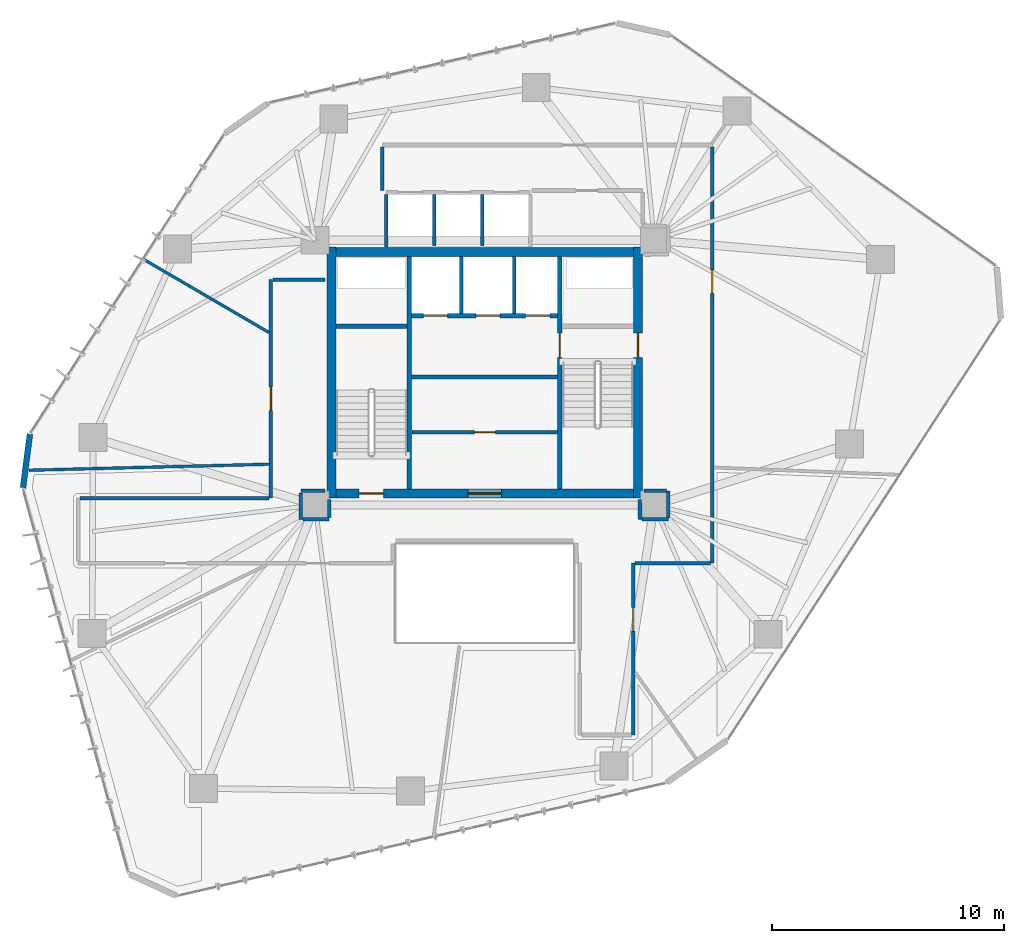
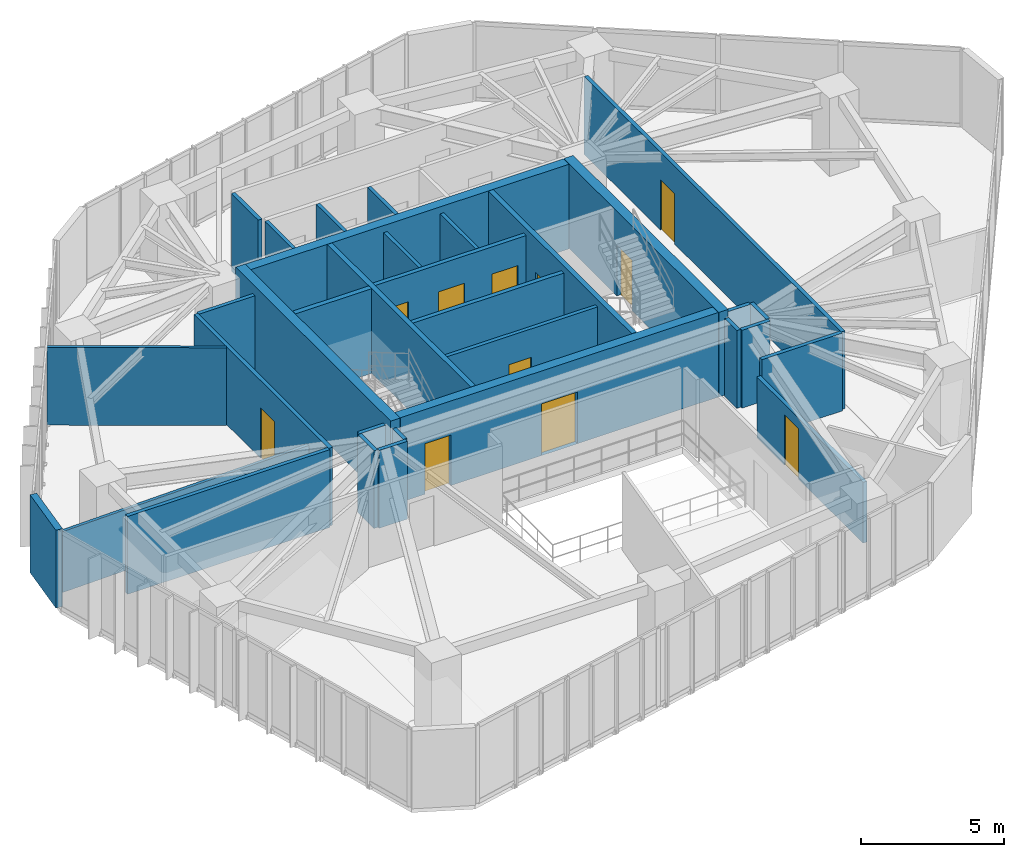
# One storey, part 17 of 21: 33 walls, 11 doors, 11 openings.
"""IFC4 building model written with IfcOpenShell, lengths in metres."""

from ifc_helpers import new_model, si_unit, direction, frame, frame_2d, origin, place, context, subcontext, project, spatial, rectangle, extrude, source, transform, mapped, material, layer, layer_set, type_object, type_shapes, element, fill, save


model = new_model("IFC4")

# Units and contexts
model_context = context("Model", 3, precision=1e-05, world=origin(), true_north=direction((0.0, 1.0)))
body_context = subcontext(model_context, "Body", "Model", "MODEL_VIEW")
ifc_project = project(units=[si_unit("LENGTHUNIT", "METRE"), si_unit("AREAUNIT", "SQUARE_METRE"), si_unit("VOLUMEUNIT", "CUBIC_METRE"), si_unit("PLANEANGLEUNIT", "RADIAN"), si_unit("MASSUNIT", "GRAM", prefix="KILO")], contexts=[model_context])

# Site, building, storey
site_placement = place(None, origin())
site = spatial("IfcSite", under=ifc_project, at=site_placement, CompositionType="ELEMENT")
building_placement = place(site_placement, origin())
building = spatial("IfcBuilding", under=site, at=building_placement, Name="Talar Marvaseh", CompositionType="ELEMENT")
storey_placement = place(building_placement, frame((0.0, 0.0, 129.0)))
storey = spatial("IfcBuildingStorey", under=building, at=storey_placement, Name="L33", CompositionType="ELEMENT", Elevation=129.0)

# Wall
ifc_material_1 = material(Name="Precast concrete C45/55", Category="concrete")
ifc_layer_1 = layer(ifc_material_1, 0.2548828125)
ifc_layer_set_1 = layer_set([ifc_layer_1], Name="Precast concrete C45/55")
wall_type_1 = type_object("IfcWallType", Name="Chamfered Hexagonal Corner Pier Wall Z2 255", PredefinedType="SOLIDWALL", material=ifc_layer_set_1)
wall_1_placement = place(storey_placement, frame((6.122802734375, 26.236572265625, 0.0), z_axis=(0.0, 0.0, 1.0), x_axis=(0.128282400491, 0.991737679895, 0.0)))
element("IfcWall", 1, at=wall_1_placement, inside=storey, type_object=wall_type_1, Name="L33 Chamfered Corner Limestone Pier 2", PredefinedType="SOLIDWALL", context=body_context, shape_type="SweptSolid", body=[
    extrude(rectangle(XDim=2.3408203125, YDim=0.2548828125, at=frame_2d((1.17041015625, 0.0))), origin(), (0.0, 0.0, 1.0), 3.31005859375),
])

# Wall, opening, door
ifc_material_2 = material(Name="Gypsum Board Partition Assembly")
ifc_layer_2 = layer(ifc_material_2, 0.155029296875)
ifc_layer_set_2 = layer_set([ifc_layer_2], Name="Gypsum Board Partition Assembly")
wall_type_2 = type_object("IfcWallType", Name="Corridor Fire-Rated Acoustic Partition 155", PredefinedType="PARTITIONING", material=ifc_layer_set_2)
wall_2_placement = place(storey_placement, frame((22.865966796875, 28.639892578125, 0.0), z_axis=(0.0, 0.0, 1.0), x_axis=(1.0, 0.0, 0.0)))
wall_2 = element("IfcWall", 2, at=wall_2_placement, inside=storey, type_object=wall_type_2, Name="L33 Core BOH Partition", PredefinedType="PARTITIONING", context=body_context, shape_type="SweptSolid", body=[
    extrude(rectangle(XDim=6.26806640625, YDim=0.155029296875, at=frame_2d((3.134033203125, 0.0))), origin(), (0.0, 0.0, 1.0), 3.31005859375),
])
opening_1_placement = place(wall_2_placement, frame((2.699951171875, 0.0, 0.0)))
opening_1 = element("IfcOpeningElement", 3, at=opening_1_placement, cuts=wall_2, Name="Opening DR-BOH090", PredefinedType="OPENING", context=body_context, shape_type="SweptSolid", body=[
    extrude(rectangle(XDim=0.89990234375, YDim=2.10009765625, at=frame_2d((0.449951171875, 1.050048828125))), frame((0.0, 0.08740234375, 0.0), z_axis=(0.0, -1.0, 0.0), x_axis=(1.0, 0.0, 0.0)), (0.0, 0.0, 1.0), 0.175048828125),
])
ifc_material_3 = material(Name="Fire-Rated Steel Door Leaf", Category="steel")
door_type_1 = type_object("IfcDoorType", Name="Core Back-of-House Service Door 900x2100", OperationType="NOTDEFINED", PredefinedType="DOOR", material=ifc_material_3)
shared_shape_1 = source(origin(), body_context, "Body", "SweptSolid", [
    extrude(rectangle(XDim=0.89990234375, YDim=2.10009765625, at=frame_2d((0.449951171875, 1.050048828125))), frame((0.0, 0.02490234375, 0.0), z_axis=(0.0, -1.0, 0.0), x_axis=(1.0, 0.0, 0.0)), (0.0, 0.0, 1.0), 0.050048828125),
])
type_shapes(door_type_1, [shared_shape_1])
door_1_placement = place(opening_1_placement, origin())
door_1 = element("IfcDoor", 4, at=door_1_placement, inside=storey, type_object=door_type_1, Name="L33 Store Core Central Archive Door", OperationType="SINGLE_SWING_LEFT", OverallHeight=2.10009765625, OverallWidth=0.89990234375, PredefinedType="DOOR", context=body_context, shape_type="MappedRepresentation", body=[
    mapped(shared_shape_1, transform((0.0, 0.0, 0.0), x_axis=(1.0, 0.0, 0.0), y_axis=(0.0, 1.0, 0.0), z_axis=(0.0, 0.0, 1.0), scale=1.0)),
])
fill(opening_1, door_1)

wall_3_placement = place(storey_placement, frame((16.800048828125, 25.800048828125, 0.0), z_axis=(0.0, 0.0, 1.0), x_axis=(0.0, 1.0, 0.0)))
wall_3 = element("IfcWall", 5, at=wall_3_placement, inside=storey, type_object=wall_type_2, Name="L33 Interior Partition Wall", PredefinedType="PARTITIONING", context=body_context, shape_type="SweptSolid", body=[
    extrude(rectangle(XDim=9.39990234375, YDim=0.155029296875, at=frame_2d((4.699951171875, 0.0))), origin(), (0.0, 0.0, 1.0), 3.31005859375),
])
opening_2_placement = place(wall_3_placement, frame((3.78125, 0.0, 0.0)))
opening_2 = element("IfcOpeningElement", 6, at=opening_2_placement, cuts=wall_3, Name="Opening DR-RM100", PredefinedType="OPENING", context=body_context, shape_type="SweptSolid", body=[
    extrude(rectangle(XDim=1.0, YDim=2.14990234375, at=frame_2d((0.5, 1.074951171875))), frame((0.0, 0.08740234375, 0.0), z_axis=(0.0, -1.0, 0.0), x_axis=(1.0, 0.0, 0.0)), (0.0, 0.0, 1.0), 0.175048828125),
])
ifc_material_4 = material(Name="Acoustic Engineered Oak Timber", Category="wood")
door_type_2 = type_object("IfcDoorType", Name="Corridor Fire-Rated Gallery Door 1000x2150", OperationType="NOTDEFINED", PredefinedType="DOOR", material=ifc_material_4)
shared_shape_2 = source(origin(), body_context, "Body", "SweptSolid", [
    extrude(rectangle(XDim=1.0, YDim=2.14990234375, at=frame_2d((0.5, 1.074951171875))), frame((0.0, 0.02490234375, 0.0), z_axis=(0.0, -1.0, 0.0), x_axis=(1.0, 0.0, 0.0)), (0.0, 0.0, 1.0), 0.050048828125),
])
type_shapes(door_type_2, [shared_shape_2])
door_2_placement = place(opening_2_placement, origin())
door_2 = element("IfcDoor", 7, at=door_2_placement, inside=storey, type_object=door_type_2, Name="L33 Archival Facsimile Boutique Door", OperationType="SINGLE_SWING_LEFT", OverallHeight=2.14990234375, OverallWidth=1.0, PredefinedType="DOOR", context=body_context, shape_type="MappedRepresentation", body=[
    mapped(shared_shape_2, transform((0.0, 0.0, 0.0), x_axis=(1.0, 0.0, 0.0), y_axis=(0.0, 1.0, 0.0), z_axis=(0.0, 0.0, 1.0), scale=1.0)),
])
fill(opening_2, door_2)

wall_4_placement = place(storey_placement, frame((35.800048828125, 40.91650390625, 0.0), z_axis=(0.0, 0.0, 1.0), x_axis=(0.0, -1.0, 0.0)))
wall_4 = element("IfcWall", 8, at=wall_4_placement, inside=storey, type_object=wall_type_2, Name="L33 Interior Partition Wall", PredefinedType="PARTITIONING", context=body_context, shape_type="SweptSolid", body=[
    extrude(rectangle(XDim=17.91650390625, YDim=0.155029296875, at=frame_2d((8.958251953125, 0.0))), origin(), (0.0, 0.0, 1.0), 3.31005859375),
])
opening_3_placement = place(wall_4_placement, frame((5.3056640625, 0.0, 0.0)))
opening_3 = element("IfcOpeningElement", 9, at=opening_3_placement, cuts=wall_4, Name="Opening DR-RM100", PredefinedType="OPENING", context=body_context, shape_type="SweptSolid", body=[
    extrude(rectangle(XDim=1.0, YDim=2.14990234375, at=frame_2d((0.5, 1.074951171875))), frame((0.0, 0.08740234375, 0.0), z_axis=(0.0, -1.0, 0.0), x_axis=(1.0, 0.0, 0.0)), (0.0, 0.0, 1.0), 0.175048828125),
])
door_3_placement = place(opening_3_placement, origin())
door_3 = element("IfcDoor", 10, at=door_3_placement, inside=storey, type_object=door_type_2, Name="L33 Artisan Craft Showroom Door", OperationType="SINGLE_SWING_RIGHT", OverallHeight=2.14990234375, OverallWidth=1.0, PredefinedType="DOOR", context=body_context, shape_type="MappedRepresentation", body=[
    mapped(shared_shape_2, transform((0.0, 0.0, 0.0), x_axis=(1.0, 0.0, 0.0), y_axis=(0.0, 1.0, 0.0), z_axis=(0.0, 0.0, 1.0), scale=1.0)),
])
fill(opening_3, door_3)

wall_5_placement = place(storey_placement, frame((32.39990234375, 23.0, 0.0), z_axis=(0.0, 0.0, 1.0), x_axis=(0.0, -1.0, 0.0)))
wall_5 = element("IfcWall", 11, at=wall_5_placement, inside=storey, type_object=wall_type_2, Name="L33 Interior Partition Wall", PredefinedType="PARTITIONING", context=body_context, shape_type="SweptSolid", body=[
    extrude(rectangle(XDim=7.39990234375, YDim=0.155029296875, at=frame_2d((3.699951171875, 0.0))), origin(), (0.0, 0.0, 1.0), 2.590087890625),
])
opening_4_placement = place(wall_5_placement, frame((1.91455078125, 0.0, 0.0)))
opening_4 = element("IfcOpeningElement", 12, at=opening_4_placement, cuts=wall_5, Name="Opening DR-RM100", PredefinedType="OPENING", context=body_context, shape_type="SweptSolid", body=[
    extrude(rectangle(XDim=1.0, YDim=2.14990234375, at=frame_2d((0.5, 1.074951171875))), frame((0.0, 0.08740234375, 0.0), z_axis=(0.0, -1.0, 0.0), x_axis=(1.0, 0.0, 0.0)), (0.0, 0.0, 1.0), 0.175048828125),
])
door_4_placement = place(opening_4_placement, origin())
door_4 = element("IfcDoor", 13, at=door_4_placement, inside=storey, type_object=door_type_2, Name="L33 Archival Research Office Door", OperationType="SINGLE_SWING_LEFT", OverallHeight=2.14990234375, OverallWidth=1.0, PredefinedType="DOOR", context=body_context, shape_type="MappedRepresentation", body=[
    mapped(shared_shape_2, transform((0.0, 0.0, 0.0), x_axis=(1.0, 0.0, 0.0), y_axis=(0.0, 1.0, 0.0), z_axis=(0.0, 0.0, 1.0), scale=1.0)),
])
fill(opening_4, door_4)

# Walls
wall_6_placement = place(storey_placement, frame((8.58349609375, 25.800048828125, 0.0), z_axis=(0.0, 0.0, 1.0), x_axis=(1.0, 0.0, 0.0)))
element("IfcWall", 14, at=wall_6_placement, inside=storey, type_object=wall_type_2, Name="L33 Interior Partition Wall", PredefinedType="PARTITIONING", context=body_context, shape_type="SweptSolid", body=[
    extrude(rectangle(XDim=8.133056640625, YDim=0.155029296875, at=frame_2d((4.06640625, 0.0))), origin(), (0.0, 0.0, 1.0), 3.31005859375),
])
wall_7_placement = place(storey_placement, frame((16.883544921875, 35.199951171875, 0.0), z_axis=(0.0, 0.0, 1.0), x_axis=(1.0, 0.0, 0.0)))
element("IfcWall", 15, at=wall_7_placement, inside=storey, type_object=wall_type_2, Name="L33 Interior Partition Wall", PredefinedType="PARTITIONING", context=body_context, shape_type="SweptSolid", body=[
    extrude(rectangle(XDim=2.246337890625, YDim=0.155029296875, at=frame_2d((1.123046875, 0.0))), origin(), (0.0, 0.0, 1.0), 3.31005859375),
])
wall_8_placement = place(storey_placement, frame((19.1298828125, 26.114990234375, 0.0), z_axis=(0.0, 0.0, 1.0), x_axis=(-0.999986702653, -0.005156987215, 0.0)))
element("IfcWall", 16, at=wall_8_placement, inside=storey, type_object=wall_type_2, Name="L33 Interior Partition Wall", PredefinedType="PARTITIONING", context=body_context, shape_type="SweptSolid", body=[
    extrude(rectangle(XDim=1.04150390625, YDim=0.155029296875, at=frame_2d((0.520751953125, 0.0))), origin(), (0.0, 0.0, 1.0), 3.31005859375),
])
wall_9_placement = place(storey_placement, frame((18.088623046875, 26.02587890625, 0.0), z_axis=(0.0, 0.0, 1.0), x_axis=(0.002787893948, -0.999996113816, 0.0)))
element("IfcWall", 17, at=wall_9_placement, inside=storey, type_object=wall_type_2, Name="L33 Interior Partition Wall", PredefinedType="PARTITIONING", context=body_context, shape_type="SweptSolid", body=[
    extrude(rectangle(XDim=1.138427734375, YDim=0.155029296875, at=frame_2d((0.5693359375, 0.0))), origin(), (0.0, 0.0, 1.0), 3.31005859375),
])
wall_10_placement = place(storey_placement, frame((18.17529296875, 24.8876953125, 0.0), z_axis=(0.0, 0.0, 1.0), x_axis=(0.999999791525, 0.000645716611, 0.0)))
element("IfcWall", 18, at=wall_10_placement, inside=storey, type_object=wall_type_2, Name="L33 Interior Partition Wall", PredefinedType="PARTITIONING", context=body_context, shape_type="SweptSolid", body=[
    extrude(rectangle(XDim=1.13427734375, YDim=0.155029296875, at=frame_2d((0.567138671875, 0.0))), origin(), (0.0, 0.0, 1.0), 3.31005859375),
])
wall_11_placement = place(storey_placement, frame((19.31005859375, 24.971923828125, 0.0), z_axis=(0.0, 0.0, 1.0), x_axis=(0.006441090216, 0.999979255963, 0.0)))
element("IfcWall", 19, at=wall_11_placement, inside=storey, type_object=wall_type_2, Name="L33 Interior Partition Wall", PredefinedType="PARTITIONING", context=body_context, shape_type="SweptSolid", body=[
    extrude(rectangle(XDim=0.758056640625, YDim=0.155029296875, at=frame_2d((0.37890625, 0.0))), origin(), (0.0, 0.0, 1.0), 3.31005859375),
])
wall_12_placement = place(storey_placement, frame((32.68505859375, 25.72998046875, 0.0), z_axis=(0.0, 0.0, 1.0), x_axis=(0.006382231486, -0.999979633353, 0.0)))
element("IfcWall", 20, at=wall_12_placement, inside=storey, type_object=wall_type_2, Name="L33 Interior Partition Wall", PredefinedType="PARTITIONING", context=body_context, shape_type="SweptSolid", body=[
    extrude(rectangle(XDim=0.841552734375, YDim=0.155029296875, at=frame_2d((0.4208984375, 0.0))), origin(), (0.0, 0.0, 1.0), 3.31005859375),
])
wall_13_placement = place(storey_placement, frame((32.77392578125, 24.88818359375, 0.0), z_axis=(0.0, 0.0, 1.0), x_axis=(0.999999164303, -0.001292823742, 0.0)))
element("IfcWall", 21, at=wall_13_placement, inside=storey, type_object=wall_type_2, Name="L33 Interior Partition Wall", PredefinedType="PARTITIONING", context=body_context, shape_type="SweptSolid", body=[
    extrude(rectangle(XDim=1.133056640625, YDim=0.155029296875, at=frame_2d((0.56640625, 0.0))), origin(), (0.0, 0.0, 1.0), 3.31005859375),
])
wall_14_placement = place(storey_placement, frame((33.907470703125, 24.97021484375, 0.0), z_axis=(0.0, 0.0, 1.0), x_axis=(0.003642572792, 0.99999336581, 0.0)))
element("IfcWall", 22, at=wall_14_placement, inside=storey, type_object=wall_type_2, Name="L33 Interior Partition Wall", PredefinedType="PARTITIONING", context=body_context, shape_type="SweptSolid", body=[
    extrude(rectangle(XDim=1.139404296875, YDim=0.155029296875, at=frame_2d((0.56982421875, 0.0))), origin(), (0.0, 0.0, 1.0), 3.31005859375),
])
wall_15_placement = place(storey_placement, frame((33.828125, 26.110107421875, 0.0), z_axis=(0.0, 0.0, 1.0), x_axis=(-0.999987011364, 0.005096773758, 0.0)))
element("IfcWall", 23, at=wall_15_placement, inside=storey, type_object=wall_type_2, Name="L33 Interior Partition Wall", PredefinedType="PARTITIONING", context=body_context, shape_type="SweptSolid", body=[
    extrude(rectangle(XDim=0.9580078125, YDim=0.155029296875, at=frame_2d((0.47900390625, 0.0))), origin(), (0.0, 0.0, 1.0), 3.31005859375),
])
wall_16_placement = place(storey_placement, frame((21.60009765625, 39.0400390625, 0.0), z_axis=(0.0, 0.0, 1.0), x_axis=(0.0, 1.0, 0.0)))
element("IfcWall", 24, at=wall_16_placement, inside=storey, type_object=wall_type_2, Name="L33 Interior Partition Wall", PredefinedType="PARTITIONING", context=body_context, shape_type="SweptSolid", body=[
    extrude(rectangle(XDim=1.87646484375, YDim=0.155029296875, at=frame_2d((0.938232421875, 0.0))), origin(), (0.0, 0.0, 1.0), 3.31005859375),
])
wall_17_placement = place(storey_placement, frame((35.716552734375, 23.0, 0.0), z_axis=(0.0, 0.0, 1.0), x_axis=(-1.0, 0.0, 0.0)))
element("IfcWall", 25, at=wall_17_placement, inside=storey, type_object=wall_type_2, Name="L33 Interior Partition Wall", PredefinedType="PARTITIONING", context=body_context, shape_type="SweptSolid", body=[
    extrude(rectangle(XDim=3.233154296875, YDim=0.155029296875, at=frame_2d((1.61669921875, 0.0))), origin(), (0.0, 0.0, 1.0), 3.31005859375),
])
ifc_layer_3 = layer(ifc_material_2, 0.1201171875)
ifc_layer_set_3 = layer_set([ifc_layer_3], Name="Gypsum Board Partition Assembly")
wall_type_3 = type_object("IfcWallType", Name="Demountable Studio Room Partition 120", PredefinedType="PARTITIONING", material=ifc_layer_set_3)
wall_18_placement = place(storey_placement, frame((6.385009765625, 26.9990234375, 0.0), z_axis=(0.0, 0.0, 1.0), x_axis=(0.999686378445, 0.02504285828, 0.0)))
element("IfcWall", 26, at=wall_18_placement, inside=storey, type_object=wall_type_3, Name="L33 Interior Partition Wall", PredefinedType="PARTITIONING", context=body_context, shape_type="SweptSolid", body=[
    extrude(rectangle(XDim=10.353271484375, YDim=0.1201171875, at=frame_2d((5.1767578125, 0.0))), origin(), (0.0, 0.0, 1.0), 2.590087890625),
])
wall_19_placement = place(storey_placement, frame((16.716552734375, 32.9287109375, 0.0), z_axis=(0.0, 0.0, 1.0), x_axis=(-0.863717983801, 0.503975440333, 0.0)))
element("IfcWall", 27, at=wall_19_placement, inside=storey, type_object=wall_type_3, Name="L33 Interior Partition Wall", PredefinedType="PARTITIONING", context=body_context, shape_type="SweptSolid", body=[
    extrude(rectangle(XDim=6.2509765625, YDim=0.1201171875, at=frame_2d((3.12548828125, 0.0))), origin(), (0.0, 0.0, 1.0), 3.31005859375),
])
ifc_layer_4 = layer(ifc_material_1, 0.14501953125)
ifc_layer_set_4 = layer_set([ifc_layer_4], Name="Precast concrete C45/55")
wall_type_4 = type_object("IfcWallType", Name="Fire-Rated Lift Divider Wall 145", PredefinedType="SOLIDWALL", material=ifc_layer_set_4)
for number, where, z_axis, x_axis, name in (
    (28, (25.0, 33.743408203125, 0.0), (0.0, 0.0, 1.0), (0.0, 1.0, 0.0), "L33 FFL-1/FFL-2 Divider"),
    (29, (27.280029296875, 33.743408203125, 0.0), (0.0, 0.0, 1.0), (0.0, 1.0, 0.0), "L33 FFL-2/SVL-1 Divider"),
):
    element("IfcWall", number, at=place(storey_placement, frame(where, z_axis=z_axis, x_axis=x_axis)), inside=storey, type_object=wall_type_4, Name=name, PredefinedType="SOLIDWALL", context=body_context, shape_type="SweptSolid", body=[
        extrude(rectangle(XDim=2.45654296875, YDim=0.14501953125, at=frame_2d((1.228271484375, 0.0))), origin(), (0.0, 0.0, 1.0), 3.31005859375),
    ])
wall_20_placement = place(storey_placement, frame((21.760009765625, 36.60009765625, 0.0), z_axis=(0.0, 0.0, 1.0), x_axis=(0.0, 1.0, 0.0)))
element("IfcWall", 30, at=wall_20_placement, inside=storey, type_object=wall_type_4, Name="L33 Low-Rise Bank West Wall", PredefinedType="SOLIDWALL", context=body_context, shape_type="SweptSolid", body=[
    extrude(rectangle(XDim=2.266357421875, YDim=0.14501953125, at=frame_2d((1.13330078125, 0.0))), origin(), (0.0, 0.0, 1.0), 3.31005859375),
])
for number, where, z_axis, x_axis, name in (
    (31, (23.830078125, 36.659912109375, 0.0), (0.0, 0.0, 1.0), (0.0, 1.0, 0.0), "L33 PL-L1/PL-L2 Divider"),
    (32, (25.889892578125, 36.659912109375, 0.0), (0.0, 0.0, 1.0), (0.0, 1.0, 0.0), "L33 PL-L2/PL-L3 Divider"),
):
    element("IfcWall", number, at=place(storey_placement, frame(where, z_axis=z_axis, x_axis=x_axis)), inside=storey, type_object=wall_type_4, Name=name, PredefinedType="SOLIDWALL", context=body_context, shape_type="SweptSolid", body=[
        extrude(rectangle(XDim=2.20654296875, YDim=0.14501953125, at=frame_2d((1.103271484375, 0.0))), origin(), (0.0, 0.0, 1.0), 3.31005859375),
    ])

# Wall, openings, doors
ifc_layer_5 = layer(ifc_material_1, 0.175048828125)
ifc_layer_set_5 = layer_set([ifc_layer_5], Name="Precast concrete C45/55")
wall_type_5 = type_object("IfcWallType", Name="Fire-Rated Lift Hoistway Enclosure Wall 175", PredefinedType="SOLIDWALL", material=ifc_layer_set_5)
wall_21_placement = place(storey_placement, frame((22.860107421875, 33.64990234375, 0.0), z_axis=(0.0, 0.0, 1.0), x_axis=(1.0, 0.0, 0.0)))
wall_21 = element("IfcWall", 33, at=wall_21_placement, inside=storey, type_object=wall_type_5, Name="L33 Firefighting and Service Lift Front Wall", PredefinedType="SOLIDWALL", context=body_context, shape_type="SweptSolid", body=[
    extrude(rectangle(XDim=6.27978515625, YDim=0.175048828125, at=frame_2d((3.139892578125, 0.0))), origin(), (0.0, 0.0, 1.0), 3.31005859375),
])
opening_5_placement = place(wall_21_placement, frame((0.5, 0.0, 0.0)))
opening_5 = element("IfcOpeningElement", 34, at=opening_5_placement, cuts=wall_21, Name="Opening LD-FF1", PredefinedType="OPENING", context=body_context, shape_type="SweptSolid", body=[
    extrude(rectangle(XDim=1.050048828125, YDim=2.14990234375, at=frame_2d((0.52490234375, 1.074951171875))), frame((0.0, 0.09765625, 0.0), z_axis=(0.0, -1.0, 0.0), x_axis=(1.0, 0.0, 0.0)), (0.0, 0.0, 1.0), 0.195068359375),
])
opening_6_placement = place(wall_21_placement, frame((2.760009765625, 0.0, 0.0)))
opening_6 = element("IfcOpeningElement", 35, at=opening_6_placement, cuts=wall_21, Name="Opening LD-FF2", PredefinedType="OPENING", context=body_context, shape_type="SweptSolid", body=[
    extrude(rectangle(XDim=1.050048828125, YDim=2.14990234375, at=frame_2d((0.52490234375, 1.074951171875))), frame((0.0, 0.09765625, 0.0), z_axis=(0.0, -1.0, 0.0), x_axis=(1.0, 0.0, 0.0)), (0.0, 0.0, 1.0), 0.195068359375),
])
opening_7_placement = place(wall_21_placement, frame((4.89990234375, 0.0, 0.0)))
opening_7 = element("IfcOpeningElement", 36, at=opening_7_placement, cuts=wall_21, Name="Opening LD-SV1", PredefinedType="OPENING", context=body_context, shape_type="SweptSolid", body=[
    extrude(rectangle(XDim=1.050048828125, YDim=2.14990234375, at=frame_2d((0.52490234375, 1.074951171875))), frame((0.0, 0.09765625, 0.0), z_axis=(0.0, -1.0, 0.0), x_axis=(1.0, 0.0, 0.0)), (0.0, 0.0, 1.0), 0.195068359375),
])
ifc_material_5 = material(Name="Stainless Steel Grade 316", Category="steel")
door_type_3 = type_object("IfcDoorType", Name="Automatic Sliding Lift Landing Door 1050x2150", OperationType="NOTDEFINED", PredefinedType="DOOR", material=ifc_material_5)
shared_shape_3 = source(origin(), body_context, "Body", "SweptSolid", [
    extrude(rectangle(XDim=1.050048828125, YDim=2.14990234375, at=frame_2d((0.52490234375, 1.074951171875))), frame((0.0, 0.02490234375, 0.0), z_axis=(0.0, -1.0, 0.0), x_axis=(1.0, 0.0, 0.0)), (0.0, 0.0, 1.0), 0.050048828125),
])
type_shapes(door_type_3, [shared_shape_3])
door_5_placement = place(opening_5_placement, origin())
door_5 = element("IfcDoor", 37, at=door_5_placement, inside=storey, type_object=door_type_3, Name="L33 Lift FFL-1 Sliding Landing Door", OperationType="SLIDING_TO_LEFT", OverallHeight=2.14990234375, OverallWidth=1.050048828125, PredefinedType="DOOR", context=body_context, shape_type="MappedRepresentation", body=[
    mapped(shared_shape_3, transform((0.0, 0.0, 0.0), x_axis=(1.0, 0.0, 0.0), y_axis=(0.0, 1.0, 0.0), z_axis=(0.0, 0.0, 1.0), scale=1.0)),
])
fill(opening_5, door_5)
door_6_placement = place(opening_6_placement, origin())
door_6 = element("IfcDoor", 38, at=door_6_placement, inside=storey, type_object=door_type_3, Name="L33 Lift FFL-2 Sliding Landing Door", OperationType="SLIDING_TO_LEFT", OverallHeight=2.14990234375, OverallWidth=1.050048828125, PredefinedType="DOOR", context=body_context, shape_type="MappedRepresentation", body=[
    mapped(shared_shape_3, transform((0.0, 0.0, 0.0), x_axis=(1.0, 0.0, 0.0), y_axis=(0.0, 1.0, 0.0), z_axis=(0.0, 0.0, 1.0), scale=1.0)),
])
fill(opening_6, door_6)
door_7_placement = place(opening_7_placement, origin())
door_7 = element("IfcDoor", 39, at=door_7_placement, inside=storey, type_object=door_type_3, Name="L33 Lift SVL-1 Sliding Landing Door", OperationType="SLIDING_TO_LEFT", OverallHeight=2.14990234375, OverallWidth=1.050048828125, PredefinedType="DOOR", context=body_context, shape_type="MappedRepresentation", body=[
    mapped(shared_shape_3, transform((0.0, 0.0, 0.0), x_axis=(1.0, 0.0, 0.0), y_axis=(0.0, 1.0, 0.0), z_axis=(0.0, 0.0, 1.0), scale=1.0)),
])
fill(opening_7, door_7)

# Walls
wall_22_placement = place(storey_placement, frame((22.860107421875, 31.02001953125, 0.0), z_axis=(0.0, 0.0, 1.0), x_axis=(1.0, 0.0, 0.0)))
element("IfcWall", 40, at=wall_22_placement, inside=storey, type_object=wall_type_5, Name="L33 Firefighting Lobby South Smoke Wall", PredefinedType="SOLIDWALL", context=body_context, shape_type="SweptSolid", body=[
    extrude(rectangle(XDim=6.27978515625, YDim=0.175048828125, at=frame_2d((3.139892578125, 0.0))), origin(), (0.0, 0.0, 1.0), 3.31005859375),
])
ifc_material_6 = material(Name="Concrete C60/75", Category="concrete")
ifc_layer_6 = layer(ifc_material_6, 0.3798828125)
ifc_layer_set_6 = layer_set([ifc_layer_6], Name="Concrete C60/75")
wall_type_6 = type_object("IfcWallType", Name="Mid Core Reinforced Concrete Shear Wall 380", PredefinedType="SHEAR", material=ifc_layer_set_6)
wall_23_placement = place(storey_placement, frame((19.39990234375, 25.800048828125, 0.0), z_axis=(0.0, 0.0, 1.0), x_axis=(0.0, 1.0, 0.0)))
element("IfcWall", 41, at=wall_23_placement, inside=storey, type_object=wall_type_6, Name="L33 West Core Shear Wall", PredefinedType="SHEAR", context=body_context, shape_type="SweptSolid", body=[
    extrude(rectangle(XDim=10.800048828125, YDim=0.3798828125, at=frame_2d((5.39990234375, 0.0))), origin(), (0.0, 0.0, 1.0), 3.60009765625),
])

# Wall, opening, door
wall_24_placement = place(storey_placement, frame((32.60009765625, 36.60009765625, 0.0), z_axis=(0.0, 0.0, 1.0), x_axis=(0.0, -1.0, 0.0)))
wall_24 = element("IfcWall", 42, at=wall_24_placement, inside=storey, type_object=wall_type_6, Name="L33 East Core Shear Wall", PredefinedType="SHEAR", context=body_context, shape_type="SweptSolid", body=[
    extrude(rectangle(XDim=10.800048828125, YDim=0.3798828125, at=frame_2d((5.39990234375, 0.0))), origin(), (0.0, 0.0, 1.0), 3.60009765625),
])
opening_8_placement = place(wall_24_placement, frame((3.699951171875, 0.0, 0.0)))
opening_8 = element("IfcOpeningElement", 43, at=opening_8_placement, cuts=wall_24, Name="Opening DR-ST105", PredefinedType="OPENING", context=body_context, shape_type="SweptSolid", body=[
    extrude(rectangle(XDim=1.050048828125, YDim=2.14990234375, at=frame_2d((0.52490234375, 1.074951171875))), frame((0.0, 0.199951171875, 0.0), z_axis=(0.0, -1.0, 0.0), x_axis=(1.0, 0.0, 0.0)), (0.0, 0.0, 1.0), 0.39990234375),
])
door_type_4 = type_object("IfcDoorType", Name="Protected Exit Stair Fire Door 1050x2150", OperationType="NOTDEFINED", PredefinedType="DOOR", material=ifc_material_3)
shared_shape_4 = source(origin(), body_context, "Body", "SweptSolid", [
    extrude(rectangle(XDim=1.050048828125, YDim=2.14990234375, at=frame_2d((0.52490234375, 1.074951171875))), frame((0.0, 0.02490234375, 0.0), z_axis=(0.0, -1.0, 0.0), x_axis=(1.0, 0.0, 0.0)), (0.0, 0.0, 1.0), 0.050048828125),
])
type_shapes(door_type_4, [shared_shape_4])
door_8_placement = place(opening_8_placement, origin())
door_8 = element("IfcDoor", 44, at=door_8_placement, inside=storey, type_object=door_type_4, Name="L33 Stair ST-2 Corridor Exit Door", OperationType="SINGLE_SWING_LEFT", OverallHeight=2.14990234375, OverallWidth=1.050048828125, PredefinedType="DOOR", context=body_context, shape_type="MappedRepresentation", body=[
    mapped(shared_shape_4, transform((0.0, 0.0, 0.0), x_axis=(1.0, 0.0, 0.0), y_axis=(0.0, 1.0, 0.0), z_axis=(0.0, 0.0, 1.0), scale=1.0)),
])
fill(opening_8, door_8)

# Wall
wall_25_placement = place(storey_placement, frame((19.60009765625, 36.39990234375, 0.0), z_axis=(0.0, 0.0, 1.0), x_axis=(1.0, 0.0, 0.0)))
element("IfcWall", 45, at=wall_25_placement, inside=storey, type_object=wall_type_6, Name="L33 North Core Shear Wall", PredefinedType="SHEAR", context=body_context, shape_type="SweptSolid", body=[
    extrude(rectangle(XDim=12.7998046875, YDim=0.3798828125, at=frame_2d((6.39990234375, 0.0))), origin(), (0.0, 0.0, 1.0), 3.60009765625),
])

# Wall, openings, doors
wall_26_placement = place(storey_placement, frame((32.39990234375, 26.0, 0.0), z_axis=(0.0, 0.0, 1.0), x_axis=(-1.0, 0.0, 0.0)))
wall_26 = element("IfcWall", 46, at=wall_26_placement, inside=storey, type_object=wall_type_6, Name="L33 South Core Shear Wall", PredefinedType="SHEAR", context=body_context, shape_type="SweptSolid", body=[
    extrude(rectangle(XDim=12.7998046875, YDim=0.3798828125, at=frame_2d((6.39990234375, 0.0))), origin(), (0.0, 0.0, 1.0), 3.60009765625),
])
opening_9_placement = place(wall_26_placement, frame((10.75, 0.0, 0.0)))
opening_9 = element("IfcOpeningElement", 47, at=opening_9_placement, cuts=wall_26, Name="Opening DR-ST105", PredefinedType="OPENING", context=body_context, shape_type="SweptSolid", body=[
    extrude(rectangle(XDim=1.050048828125, YDim=2.14990234375, at=frame_2d((0.52490234375, 1.074951171875))), frame((0.0, 0.199951171875, 0.0), z_axis=(0.0, -1.0, 0.0), x_axis=(1.0, 0.0, 0.0)), (0.0, 0.0, 1.0), 0.39990234375),
])
opening_10_placement = place(wall_26_placement, frame((5.669921875, 0.0, 0.0)))
opening_10 = element("IfcOpeningElement", 48, at=opening_10_placement, cuts=wall_26, Name="Opening DR-LBY145", PredefinedType="OPENING", context=body_context, shape_type="SweptSolid", body=[
    extrude(rectangle(XDim=1.449951171875, YDim=2.199951171875, at=frame_2d((0.72509765625, 1.10009765625))), frame((0.0, 0.199951171875, 0.0), z_axis=(0.0, -1.0, 0.0), x_axis=(1.0, 0.0, 0.0)), (0.0, 0.0, 1.0), 0.39990234375),
])
door_9_placement = place(opening_9_placement, origin())
door_9 = element("IfcDoor", 49, at=door_9_placement, inside=storey, type_object=door_type_4, Name="L33 Stair ST-1 Exit Door", OperationType="SINGLE_SWING_RIGHT", OverallHeight=2.14990234375, OverallWidth=1.050048828125, PredefinedType="DOOR", context=body_context, shape_type="MappedRepresentation", body=[
    mapped(shared_shape_4, transform((0.0, 0.0, 0.0), x_axis=(1.0, 0.0, 0.0), y_axis=(0.0, 1.0, 0.0), z_axis=(0.0, 0.0, 1.0), scale=1.0)),
])
fill(opening_9, door_9)
door_type_5 = type_object("IfcDoorType", Name="Core Lift Lobby Double Smoke Door 1450x2200", OperationType="NOTDEFINED", PredefinedType="DOOR", material=ifc_material_3)
shared_shape_5 = source(origin(), body_context, "Body", "SweptSolid", [
    extrude(rectangle(XDim=1.449951171875, YDim=2.199951171875, at=frame_2d((0.72509765625, 1.10009765625))), frame((0.0, 0.02490234375, 0.0), z_axis=(0.0, -1.0, 0.0), x_axis=(1.0, 0.0, 0.0)), (0.0, 0.0, 1.0), 0.050048828125),
])
type_shapes(door_type_5, [shared_shape_5])
door_10_placement = place(opening_10_placement, origin())
door_10 = element("IfcDoor", 50, at=door_10_placement, inside=storey, type_object=door_type_5, Name="L33 Passenger Lift Lobby Entrance Door", OperationType="DOUBLE_DOOR_SINGLE_SWING", OverallHeight=2.199951171875, OverallWidth=1.449951171875, PredefinedType="DOOR", context=body_context, shape_type="MappedRepresentation", body=[
    mapped(shared_shape_5, transform((0.0, 0.0, 0.0), x_axis=(1.0, 0.0, 0.0), y_axis=(0.0, 1.0, 0.0), z_axis=(0.0, 0.0, 1.0), scale=1.0)),
])
fill(opening_10, door_10)

# Wall
ifc_material_7 = material(Name="Concrete C50/60", Category="concrete")
ifc_layer_7 = layer(ifc_material_7, 0.199951171875)
ifc_layer_set_7 = layer_set([ifc_layer_7], Name="Concrete C50/60")
wall_type_7 = type_object("IfcWallType", Name="Stair Shaft Structural Concrete Shear Wall 200", PredefinedType="SHEAR", material=ifc_layer_set_7)
wall_27_placement = place(storey_placement, frame((22.760009765625, 26.199951171875, 0.0), z_axis=(0.0, 0.0, 1.0), x_axis=(0.0, 1.0, 0.0)))
element("IfcWall", 51, at=wall_27_placement, inside=storey, type_object=wall_type_7, Name="L33 Core West Stair Shear Wall", PredefinedType="SHEAR", context=body_context, shape_type="SweptSolid", body=[
    extrude(rectangle(XDim=10.0, YDim=0.199951171875, at=frame_2d((5.0, 0.0))), origin(), (0.0, 0.0, 1.0), 3.60009765625),
])

# Wall, opening, door
wall_28_placement = place(storey_placement, frame((29.239990234375, 26.199951171875, 0.0), z_axis=(0.0, 0.0, 1.0), x_axis=(0.0, 1.0, 0.0)))
wall_28 = element("IfcWall", 52, at=wall_28_placement, inside=storey, type_object=wall_type_7, Name="L33 Core East Stair Shear Wall", PredefinedType="SHEAR", context=body_context, shape_type="SweptSolid", body=[
    extrude(rectangle(XDim=10.0, YDim=0.199951171875, at=frame_2d((5.0, 0.0))), origin(), (0.0, 0.0, 1.0), 3.60009765625),
])
opening_11_placement = place(wall_28_placement, frame((5.64990234375, 0.0, 0.0)))
opening_11 = element("IfcOpeningElement", 53, at=opening_11_placement, cuts=wall_28, Name="Opening DR-ST105", PredefinedType="OPENING", context=body_context, shape_type="SweptSolid", body=[
    extrude(rectangle(XDim=1.050048828125, YDim=2.14990234375, at=frame_2d((0.52490234375, 1.074951171875))), frame((0.0, 0.10986328125, 0.0), z_axis=(0.0, -1.0, 0.0), x_axis=(1.0, 0.0, 0.0)), (0.0, 0.0, 1.0), 0.219970703125),
])
door_11_placement = place(opening_11_placement, origin())
door_11 = element("IfcDoor", 54, at=door_11_placement, inside=storey, type_object=door_type_4, Name="L33 Firefighting Lobby to Stair ST-2 Door", OperationType="SINGLE_SWING_LEFT", OverallHeight=2.14990234375, OverallWidth=1.050048828125, PredefinedType="DOOR", context=body_context, shape_type="MappedRepresentation", body=[
    mapped(shared_shape_4, transform((0.0, 0.0, 0.0), x_axis=(1.0, 0.0, 0.0), y_axis=(0.0, 1.0, 0.0), z_axis=(0.0, 0.0, 1.0), scale=1.0)),
])
fill(opening_11, door_11)

# Wall
wall_29_placement = place(storey_placement, frame((19.60009765625, 33.199951171875, 0.0), z_axis=(0.0, 0.0, 1.0), x_axis=(1.0, 0.0, 0.0)))
element("IfcWall", 55, at=wall_29_placement, inside=storey, type_object=wall_type_7, Name="L33 Stair ST-1 North Shear Wall", PredefinedType="SHEAR", context=body_context, shape_type="SweptSolid", body=[
    extrude(rectangle(XDim=3.059814453125, YDim=0.199951171875, at=frame_2d((1.52978515625, 0.0))), origin(), (0.0, 0.0, 1.0), 3.60009765625),
])

save(model, "model.ifc")
